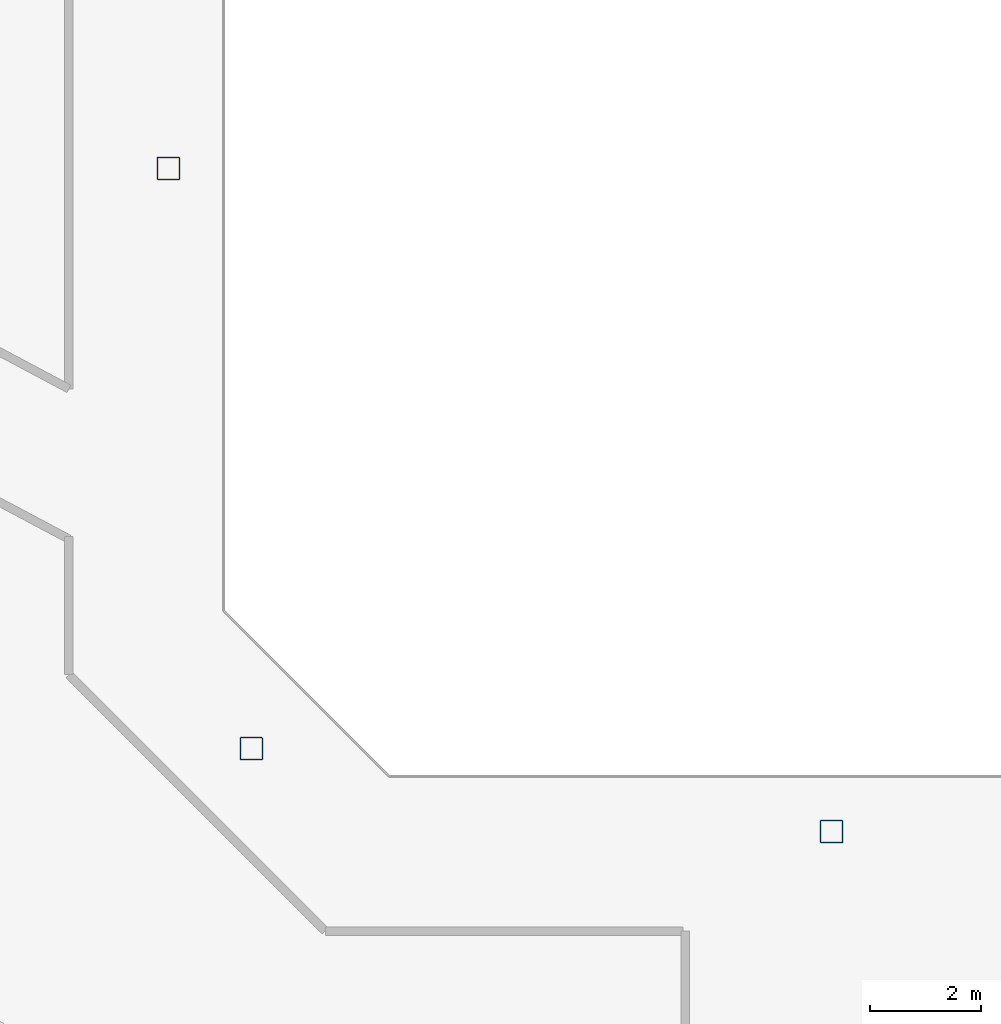
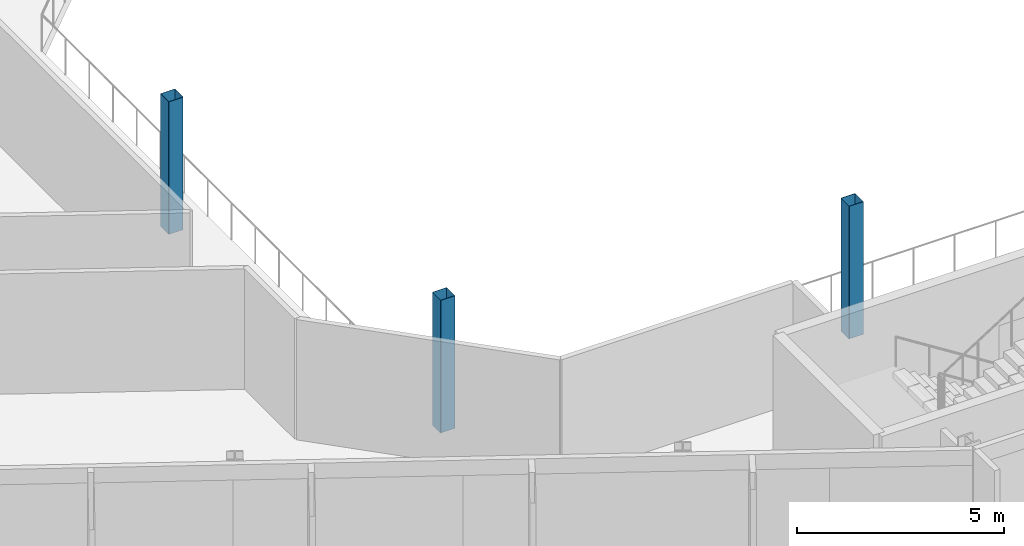
# One storey, part 2 of 26: 3 columns.
"""IFC4 building model written with IfcOpenShell, lengths in metres."""

from ifc_helpers import new_model, si_unit, direction, frame, origin, origin_2d, place, context, subcontext, project, spatial, hollow_rectangle, extrude, material, material_profile, profile_set, type_object, element, save


model = new_model("IFC4")

# Units and contexts
model_context = context("Model", 3, precision=1e-05, world=origin(), true_north=direction((0.0, 1.0)))
body_context = subcontext(model_context, "Body", "Model", "MODEL_VIEW")
ifc_project = project(units=[si_unit("LENGTHUNIT", "METRE"), si_unit("AREAUNIT", "SQUARE_METRE"), si_unit("VOLUMEUNIT", "CUBIC_METRE"), si_unit("PLANEANGLEUNIT", "RADIAN"), si_unit("MASSUNIT", "GRAM", prefix="KILO")], contexts=[model_context])

# Site, building, storey
site_placement = place(None, origin())
site = spatial("IfcSite", under=ifc_project, at=site_placement, CompositionType="ELEMENT")
building_placement = place(site_placement, origin())
building = spatial("IfcBuilding", under=site, at=building_placement, Name="Cormorant Relay Tower", CompositionType="ELEMENT")
storey_placement = place(building_placement, frame((0.0, 0.0, 300.89990234375)))
storey = spatial("IfcBuildingStorey", under=building, at=storey_placement, Name="L68", CompositionType="ELEMENT", Elevation=300.89990234375)

# Columns
ifc_material = material(Name="Steel ASTM A500 Grade C (Fy 345 MPa)", Category="steel")
ifc_material_profile = material_profile(ifc_material, hollow_rectangle(XDim=0.406494140625, YDim=0.406494140625, WallThickness=0.0087890625, InnerFilletRadius=0.00439453125, OuterFilletRadius=0.01318359375, at=origin_2d()), Name="HSS406x406x9")
ifc_profile_set = profile_set([ifc_material_profile], Name="Steel ASTM A500 Grade C (Fy 345 MPa)")
column_type = type_object("IfcColumnType", Name="Column HSS406x406x9", PredefinedType="COLUMN", material=ifc_profile_set)
for number, where, z_axis, x_axis, name in (
    (1, (0.0, -12.0, 0.0), (0.0, 0.0, 1.0), (1.0, 0.0, 0.0), "Column L68-007"),
    (2, (-10.5, -10.5, 0.0), (0.0, 0.0, 1.0), (1.0, 0.0, 0.0), "Column L68-009"),
    (3, (-12.0, 0.0, 0.0), (0.0, 0.0, 1.0), (1.0, 0.0, 0.0), "Column L68-015"),
):
    element("IfcColumn", number, at=place(storey_placement, frame(where, z_axis=z_axis, x_axis=x_axis)), inside=storey, type_object=column_type, Name=name, PredefinedType="COLUMN", context=body_context, shape_type="SweptSolid", body=[
        extrude(hollow_rectangle(XDim=0.406494140625, YDim=0.406494140625, WallThickness=0.0087890625, InnerFilletRadius=0.00439453125, OuterFilletRadius=0.01318359375, at=origin_2d()), origin(), (0.0, 0.0, 1.0), 3.900146484375),
    ])

save(model, "model.ifc")
